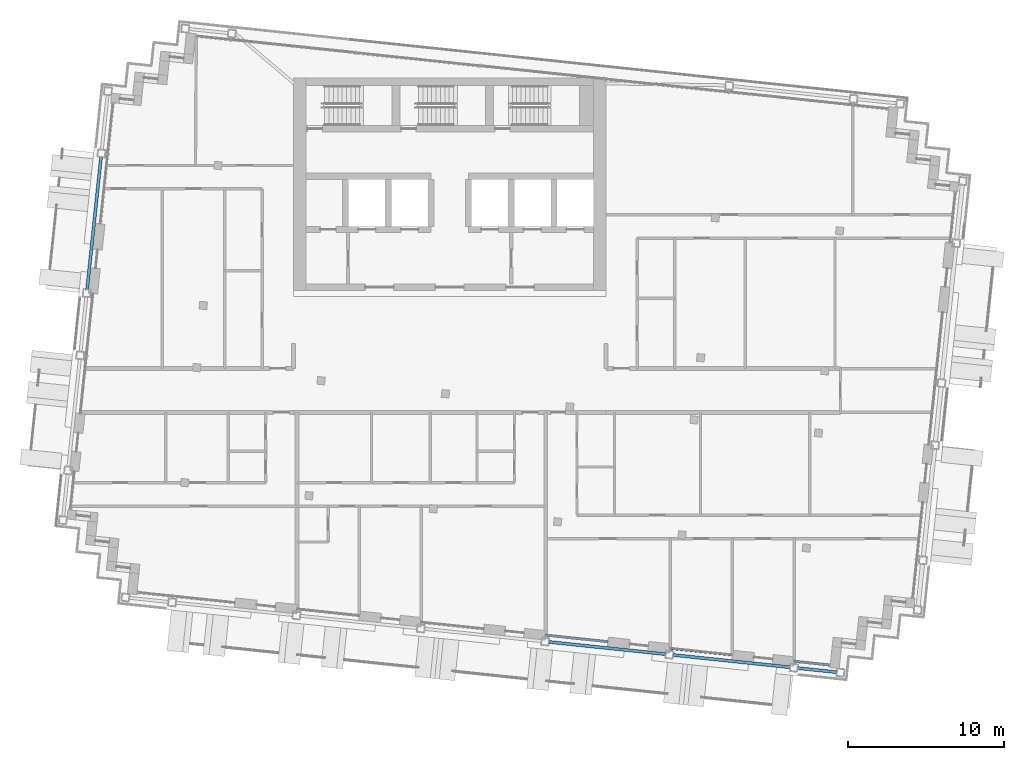
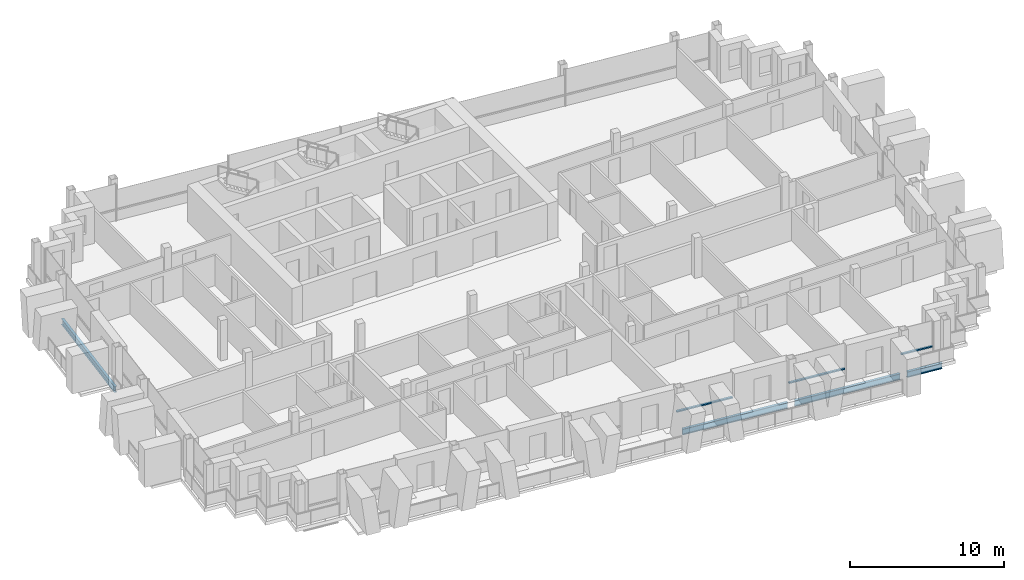
# One storey, part 3 of 16: 4 beams, 3 members, 3 elements without a shape of their own.
"""IFC4 building model written with IfcOpenShell, lengths in metres."""

from ifc_helpers import new_model, si_unit, direction, frame, origin, origin_2d, place, context, subcontext, project, spatial, rectangle, i_section, extrude, material, material_profile, profile_set, type_object, element, aggregate, save


model = new_model("IFC4")

# Units and contexts
model_context = context("Model", 3, precision=1e-05, world=origin(), true_north=direction((0.0, 1.0)))
body_context = subcontext(model_context, "Body", "Model", "MODEL_VIEW")
ifc_project = project(units=[si_unit("LENGTHUNIT", "METRE"), si_unit("AREAUNIT", "SQUARE_METRE"), si_unit("VOLUMEUNIT", "CUBIC_METRE"), si_unit("PLANEANGLEUNIT", "RADIAN"), si_unit("MASSUNIT", "GRAM", prefix="KILO")], contexts=[model_context])

# Site, building, storey
site_placement = place(None, origin())
site = spatial("IfcSite", under=ifc_project, at=site_placement, CompositionType="ELEMENT")
building_placement = place(site_placement, origin())
building = spatial("IfcBuilding", under=site, at=building_placement, Name="Vidyagriha Tower", CompositionType="ELEMENT")
storey_placement = place(building_placement, frame((0.0, 0.0, 272.300048828125)))
storey = spatial("IfcBuildingStorey", under=building, at=storey_placement, Name="L71", CompositionType="ELEMENT", Elevation=272.300048828125)

# Beams
ifc_material_1 = material(Name="Steel ASTM A992 Grade 50", Category="steel")
ifc_material_profile_1 = material_profile(ifc_material_1, i_section(OverallWidth=0.19189453125, OverallDepth=0.46240234375, WebThickness=0.010498046875, FlangeThickness=0.017578125, at=origin_2d()), Name="W18X60")
ifc_profile_set_1 = profile_set([ifc_material_profile_1], Name="Steel ASTM A992 Grade 50")
beam_type = type_object("IfcBeamType", Name="Edge beam W18X60", PredefinedType="SPANDREL", material=ifc_profile_set_1)
for number, where, z_axis, x_axis, name in (
    (1, (6.3486328125, -16.091064453125, -0.51123046875), (0.994522384662, -0.104523807841, 0.0), (0.104523807841, 0.994522384662, 0.0), "st-beam-L71-S05"),
    (2, (14.304931640625, -16.92724609375, -0.51123046875), (0.994522384662, -0.104523807841, 0.0), (0.104523807841, 0.994522384662, 0.0), "st-beam-L71-S06"),
):
    element("IfcBeam", number, at=place(storey_placement, frame(where, z_axis=z_axis, x_axis=x_axis)), inside=storey, type_object=beam_type, Name=name, PredefinedType="SPANDREL", context=body_context, shape_type="SweptSolid", body=[
        extrude(i_section(OverallWidth=0.19189453125, OverallDepth=0.46240234375, WebThickness=0.010498046875, FlangeThickness=0.017578125, at=origin_2d()), origin(), (0.0, 0.0, 1.0), 7.5),
    ])
beam_1_placement = place(storey_placement, frame((22.260986328125, -17.763427734375, -0.51123046875), z_axis=(0.994515615024, -0.104588199498, 0.0), x_axis=(0.104588199498, 0.994515615024, 0.0)))
element("IfcBeam", 3, at=beam_1_placement, inside=storey, type_object=beam_type, Name="st-beam-L71-S07", PredefinedType="SPANDREL", context=body_context, shape_type="SweptSolid", body=[
    extrude(i_section(OverallWidth=0.19189453125, OverallDepth=0.46240234375, WebThickness=0.010498046875, FlangeThickness=0.017578125, at=origin_2d()), origin(), (0.0, 0.0, 1.0), 2.5),
])
beam_2_placement = place(storey_placement, frame((-23.20458984375, 6.4716796875, -0.51123046875), z_axis=(0.104518825829, 0.994522908257, 0.0), x_axis=(-0.994522908257, 0.104518825829, 0.0)))
element("IfcBeam", 4, at=beam_2_placement, inside=storey, type_object=beam_type, Name="st-beam-L71-W11", PredefinedType="SPANDREL", context=body_context, shape_type="SweptSolid", body=[
    extrude(i_section(OverallWidth=0.19189453125, OverallDepth=0.46240234375, WebThickness=0.010498046875, FlangeThickness=0.017578125, at=origin_2d()), origin(), (0.0, 0.0, 1.0), 8.500244140625),
])

# Curtain wall, member
ifc_material_2 = material(Name="Aluminium and glass curtain wall", Category="aluminium")
curtain_wall_type = type_object("IfcCurtainWallType", Name="Dwelling skin unitised curtain wall", PredefinedType="USERDEFINED", material=ifc_material_2)
curtain_wall_1_placement = place(storey_placement, origin())
curtain_wall_1 = element("IfcCurtainWall", 5, at=curtain_wall_1_placement, inside=storey, type_object=curtain_wall_type, Name="CW1 dwelling skin", ObjectType="UNITISED", PredefinedType="USERDEFINED")
ifc_material_3 = material(Name="Aluminium black anodised", Category="aluminium")
ifc_material_profile_2 = material_profile(ifc_material_3, rectangle(XDim=0.159912109375, YDim=0.10009765625, at=origin_2d()), Name="Transom 100x160 black aluminium")
ifc_profile_set_2 = profile_set([ifc_material_profile_2], Name="Aluminium black anodised")
member_type = type_object("IfcMemberType", Name="Transom 100x160 black aluminium", PredefinedType="USERDEFINED", material=ifc_profile_set_2)
member_1_placement = place(storey_placement, frame((6.141845703125, -15.6669921875, 0.89990234375), z_axis=(0.99451982373, -0.104548171712, 0.0), x_axis=(0.104548171712, 0.99451982373, 0.0)))
member_1 = element("IfcMember", 6, at=member_1_placement, type_object=member_type, Name="CW1 transom 1.1", ObjectType="TRANSOM", PredefinedType="USERDEFINED", context=body_context, shape_type="SweptSolid", body=[
    extrude(rectangle(XDim=0.159912109375, YDim=0.10009765625, at=origin_2d()), origin(), (0.0, 0.0, 1.0), 4.000244140625),
])
aggregate(curtain_wall_1, [member_1])

curtain_wall_2_placement = place(storey_placement, origin())
curtain_wall_2 = element("IfcCurtainWall", 7, at=curtain_wall_2_placement, inside=storey, type_object=curtain_wall_type, Name="CW1 dwelling skin", ObjectType="UNITISED", PredefinedType="USERDEFINED")
member_2_placement = place(storey_placement, frame((14.09814453125, -16.50341796875, 0.89990234375), z_axis=(0.99452550138, -0.104494148666, 0.0), x_axis=(0.104494148666, 0.99452550138, 0.0)))
member_2 = element("IfcMember", 8, at=member_2_placement, type_object=member_type, Name="CW1 transom 1.1", ObjectType="TRANSOM", PredefinedType="USERDEFINED", context=body_context, shape_type="SweptSolid", body=[
    extrude(rectangle(XDim=0.159912109375, YDim=0.10009765625, at=origin_2d()), origin(), (0.0, 0.0, 1.0), 4.0),
])
aggregate(curtain_wall_2, [member_2])

curtain_wall_3_placement = place(storey_placement, origin())
curtain_wall_3 = element("IfcCurtainWall", 9, at=curtain_wall_3_placement, inside=storey, type_object=curtain_wall_type, Name="CW1 dwelling skin", ObjectType="UNITISED", PredefinedType="USERDEFINED")
member_3_placement = place(storey_placement, frame((22.05419921875, -17.339599609375, 0.89990234375), z_axis=(0.994530619876, -0.10444542177, 0.0), x_axis=(0.10444542177, 0.994530619876, 0.0)))
member_3 = element("IfcMember", 10, at=member_3_placement, type_object=member_type, Name="CW1 transom 1.1", ObjectType="TRANSOM", PredefinedType="USERDEFINED", context=body_context, shape_type="SweptSolid", body=[
    extrude(rectangle(XDim=0.159912109375, YDim=0.10009765625, at=origin_2d()), origin(), (0.0, 0.0, 1.0), 2.22998046875),
])
aggregate(curtain_wall_3, [member_3])

save(model, "model.ifc")
